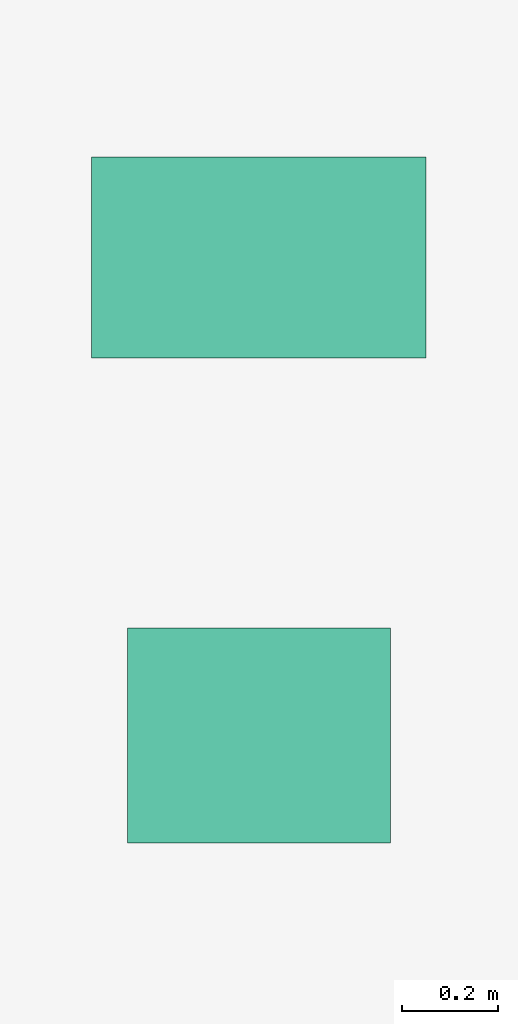
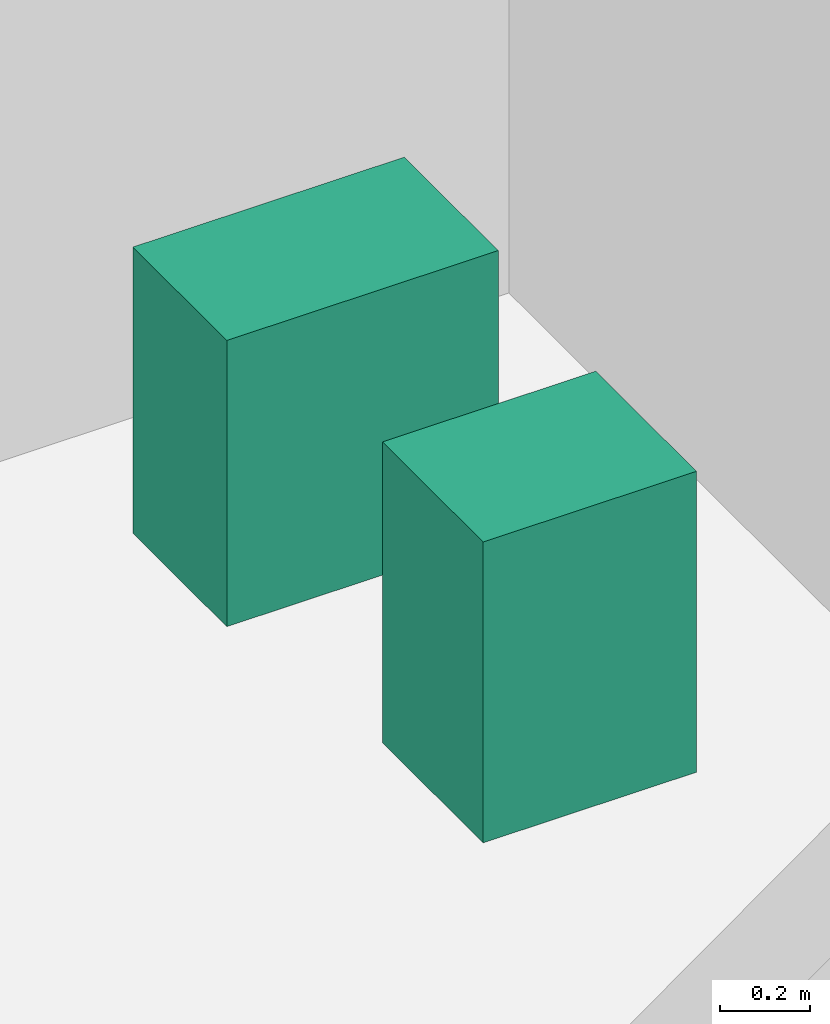
# One storey, part 15 of 15: 2 sanitary terminals.
"""IFC4 building model written with IfcOpenShell, lengths in metres."""

from ifc_helpers import new_model, si_unit, direction, frame, origin, origin_2d, place, context, subcontext, project, spatial, rectangle, extrude, source, transform, mapped, material, type_object, element, save


model = new_model("IFC4")

# Units and contexts
model_context = context("Model", 3, precision=1e-05, world=origin(), true_north=direction((0.0, 1.0)))
body_context = subcontext(model_context, "Body", "Model", "MODEL_VIEW")
ifc_project = project(units=[si_unit("LENGTHUNIT", "METRE"), si_unit("AREAUNIT", "SQUARE_METRE"), si_unit("VOLUMEUNIT", "CUBIC_METRE"), si_unit("PLANEANGLEUNIT", "RADIAN"), si_unit("MASSUNIT", "GRAM", prefix="KILO")], contexts=[model_context])

# Site, building, storey
site_placement = place(None, origin())
site = spatial("IfcSite", under=ifc_project, at=site_placement, CompositionType="ELEMENT")
building_placement = place(site_placement, origin())
building = spatial("IfcBuilding", under=site, at=building_placement, Name="Sumidabori Civic Tower", CompositionType="ELEMENT")
storey_placement = place(building_placement, frame((0.0, 0.0, 18.949951171875)))
storey = spatial("IfcBuildingStorey", under=building, at=storey_placement, Name="L04", CompositionType="ELEMENT", Elevation=18.949951171875)

# Sanitary terminals
ifc_material = material(Name="Vitreous Sanitary Porcelain")
sanitary_terminal_type_1 = type_object("IfcSanitaryTerminalType", Name="SN-WC-1", PredefinedType="TOILETPAN", material=ifc_material)
shared_shape_1 = source(origin(), body_context, "Body", "SweptSolid", [
    extrude(rectangle(XDim=0.699951171875, YDim=0.419921875, at=origin_2d()), origin(), (0.0, 0.0, 1.0), 0.780029296875),
])
sanitary_terminal_1_placement = place(storey_placement, frame((10.800048828125, 21.85009765625, 0.0), z_axis=(0.0, 0.0, 1.0), x_axis=(1.0, 0.0, 0.0)))
element("IfcSanitaryTerminal", 1, at=sanitary_terminal_1_placement, inside=storey, type_object=sanitary_terminal_type_1, Name="Accessible WC Pan L04", PredefinedType="TOILETPAN", context=body_context, shape_type="MappedRepresentation", body=[
    mapped(shared_shape_1, transform((0.0, 0.0, 0.0), x_axis=(1.0, 0.0, 0.0), y_axis=(0.0, 1.0, 0.0), z_axis=(0.0, 0.0, 1.0), scale=1.0)),
])
sanitary_terminal_type_2 = type_object("IfcSanitaryTerminalType", Name="SN-BAS-1", PredefinedType="WASHHANDBASIN", material=ifc_material)
shared_shape_2 = source(origin(), body_context, "Body", "SweptSolid", [
    extrude(rectangle(XDim=0.550048828125, YDim=0.449951171875, at=origin_2d()), origin(), (0.0, 0.0, 1.0), 0.820068359375),
])
sanitary_terminal_2_placement = place(storey_placement, frame((10.800048828125, 20.85009765625, 0.0), z_axis=(0.0, 0.0, 1.0), x_axis=(1.0, 0.0, 0.0)))
element("IfcSanitaryTerminal", 2, at=sanitary_terminal_2_placement, inside=storey, type_object=sanitary_terminal_type_2, Name="Accessible Basin L04", PredefinedType="WASHHANDBASIN", context=body_context, shape_type="MappedRepresentation", body=[
    mapped(shared_shape_2, transform((0.0, 0.0, 0.0), x_axis=(1.0, 0.0, 0.0), y_axis=(0.0, 1.0, 0.0), z_axis=(0.0, 0.0, 1.0), scale=1.0)),
])

save(model, "model.ifc")
